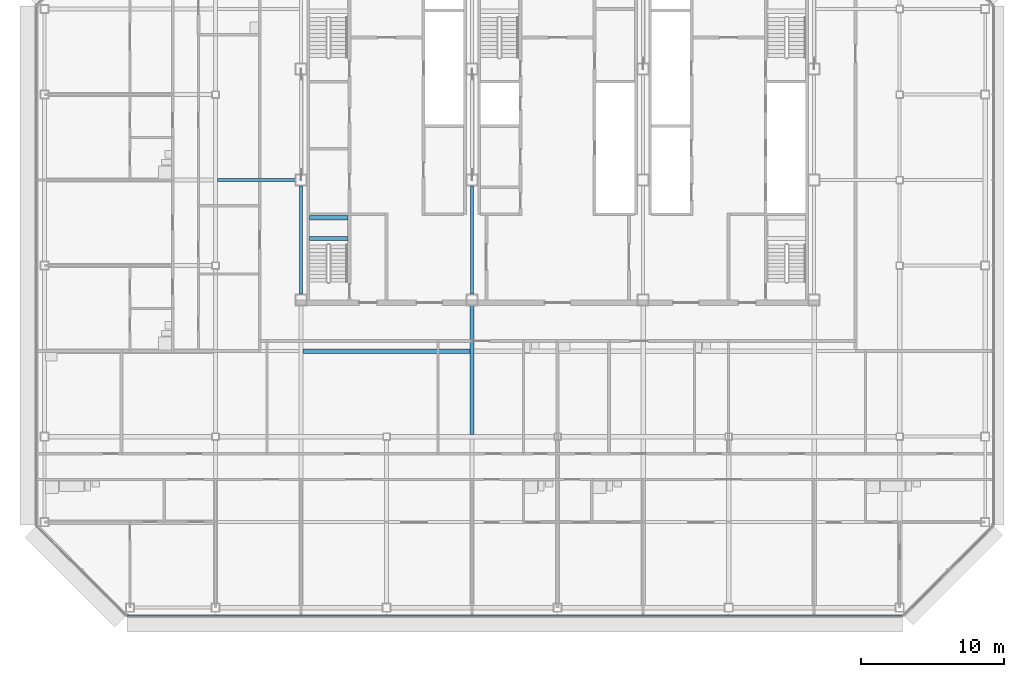
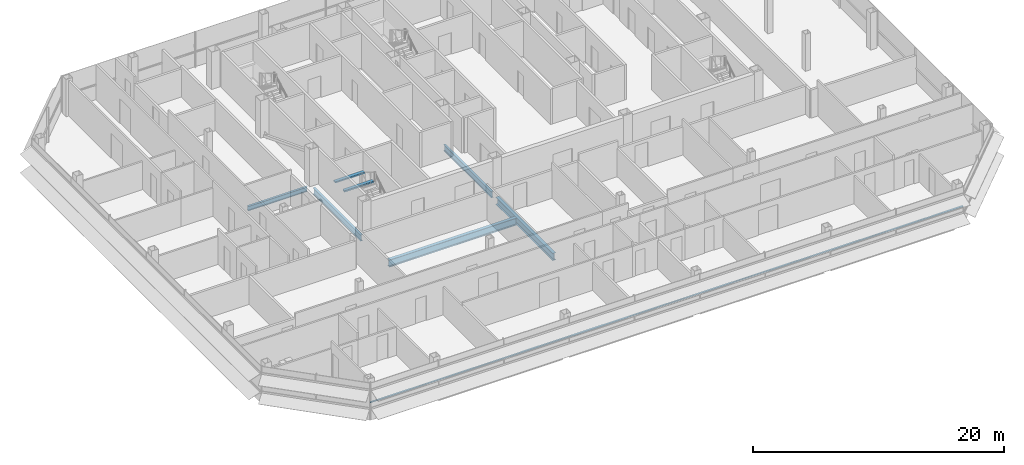
# One storey, part 8 of 28: 7 beams, 1 member, 1 element without a shape of its own.
"""IFC4 building model written with IfcOpenShell, lengths in metres."""

from ifc_helpers import new_model, si_unit, direction, frame, origin, origin_2d, place, context, subcontext, project, spatial, rectangle, i_section, extrude, material, material_profile, profile_set, type_object, element, aggregate, save


model = new_model("IFC4")

# Units and contexts
model_context = context("Model", 3, precision=1e-05, world=origin(), true_north=direction((0.0, 1.0)))
body_context = subcontext(model_context, "Body", "Model", "MODEL_VIEW")
ifc_project = project(units=[si_unit("LENGTHUNIT", "METRE"), si_unit("AREAUNIT", "SQUARE_METRE"), si_unit("VOLUMEUNIT", "CUBIC_METRE"), si_unit("PLANEANGLEUNIT", "RADIAN"), si_unit("MASSUNIT", "GRAM", prefix="KILO")], contexts=[model_context])

# Site, building, storey
site_placement = place(None, origin())
site = spatial("IfcSite", under=ifc_project, at=site_placement, CompositionType="ELEMENT")
building_placement = place(site_placement, origin())
building = spatial("IfcBuilding", under=site, at=building_placement, Name="Sorahane Residences", CompositionType="ELEMENT")
storey_placement = place(building_placement, frame((0.0, 0.0, 273.800048828125)))
storey = spatial("IfcBuildingStorey", under=building, at=storey_placement, Name="L65", CompositionType="ELEMENT", Elevation=273.800048828125)

# Curtain wall, member
ifc_material_1 = material(Name="Dark low-e glass and black anodised aluminium", Category="aluminium")
curtain_wall_type = type_object("IfcCurtainWallType", Name="Curtain wall CW-1 Typical unitised wall", PredefinedType="NOTDEFINED", material=ifc_material_1)
curtain_wall_placement = place(storey_placement, origin())
curtain_wall = element("IfcCurtainWall", 1, at=curtain_wall_placement, inside=storey, type_object=curtain_wall_type, Name="CW-1 curtain wall L65 S1", PredefinedType="NOTDEFINED")
ifc_material_2 = material(Name="Black anodised aluminium", Category="aluminium")
ifc_material_profile_1 = material_profile(ifc_material_2, rectangle(XDim=0.10009765625, YDim=0.06005859375, at=origin_2d()), Name="Curtain wall transom CW-1 black anodised aluminium 60x100")
ifc_profile_set_1 = profile_set([ifc_material_profile_1], Name="Black anodised aluminium")
member_type = type_object("IfcMemberType", Name="Curtain wall transom CW-1 black anodised aluminium 60x100", PredefinedType="USERDEFINED", material=ifc_profile_set_1)
member_placement = place(storey_placement, frame((-6.198486328125, -0.530029296875, 1.5), z_axis=(1.0, 0.0, 0.0), x_axis=(0.0, 1.0, 0.0)))
member = element("IfcMember", 2, at=member_placement, type_object=member_type, Name="CW-1 transom L65 S1", ObjectType="TRANSOM", PredefinedType="USERDEFINED", context=body_context, shape_type="SweptSolid", body=[
    extrude(rectangle(XDim=0.10009765625, YDim=0.06005859375, at=origin_2d()), origin(), (0.0, 0.0, 1.0), 54.39697265625),
])
aggregate(curtain_wall, [member])

# Beams
ifc_material_3 = material(Name="Concrete C40", Category="concrete")
ifc_material_profile_2 = material_profile(ifc_material_3, rectangle(XDim=0.300048828125, YDim=0.139892578125, at=origin_2d()), Name="300x140")
ifc_profile_set_2 = profile_set([ifc_material_profile_2], Name="Concrete C40")
beam_type_1 = type_object("IfcBeamType", Name="RC landing beam 300 x 140 Concrete C40", PredefinedType="BEAM", material=ifc_profile_set_2)
for number, where, z_axis, x_axis, name in (
    (3, (6.60009765625, 25.89990234375, 1.530029296875), (1.0, 0.0, 0.0), (0.0, 1.0, 0.0), "Landing beam"),
    (4, (6.60009765625, 27.35009765625, 1.530029296875), (1.0, 0.0, 0.0), (0.0, 1.0, 0.0), "Landing beam"),
):
    element("IfcBeam", number, at=place(storey_placement, frame(where, z_axis=z_axis, x_axis=x_axis)), inside=storey, type_object=beam_type_1, Name=name, PredefinedType="BEAM", context=body_context, shape_type="SweptSolid", body=[
        extrude(rectangle(XDim=0.300048828125, YDim=0.139892578125, at=origin_2d()), origin(), (0.0, 0.0, 1.0), 2.699951171875),
    ])
ifc_material_4 = material(Name="Steel Q355B", Category="steel")
ifc_material_profile_3 = material_profile(ifc_material_4, i_section(OverallWidth=0.199951171875, OverallDepth=0.449951171875, WebThickness=0.009033203125, FlangeThickness=0.013916015625, FilletRadius=0.02001953125, at=origin_2d()), Name="HN 450x200x9x14")
ifc_profile_set_3 = profile_set([ifc_material_profile_3], Name="Steel Q355B")
beam_type_2 = type_object("IfcBeamType", Name="Steel floor beam HN 450x200x9x14 Q355B", PredefinedType="BEAM", material=ifc_profile_set_3)
beam_1_placement = place(storey_placement, frame((0.14990234375, 30.0, -0.405029296875), z_axis=(1.0, 0.0, 0.0), x_axis=(0.0, 1.0, 0.0)))
element("IfcBeam", 5, at=beam_1_placement, inside=storey, type_object=beam_type_2, Name="Beam L65 086", PredefinedType="BEAM", context=body_context, shape_type="SweptSolid", body=[
    extrude(i_section(OverallWidth=0.199951171875, OverallDepth=0.449951171875, WebThickness=0.009033203125, FlangeThickness=0.013916015625, FilletRadius=0.02001953125, at=origin_2d()), origin(), (0.0, 0.0, 1.0), 5.4501953125),
])
ifc_material_5 = material(Name="Steel Q355B", Category="steel")
ifc_material_profile_4 = material_profile(ifc_material_5, i_section(OverallWidth=0.199951171875, OverallDepth=0.60009765625, WebThickness=0.010986328125, FlangeThickness=0.01708984375, FilletRadius=0.02392578125, at=origin_2d()), Name="HN 600x200x11x17")
ifc_profile_set_4 = profile_set([ifc_material_profile_4], Name="Steel Q355B")
beam_type_3 = type_object("IfcBeamType", Name="Steel floor beam HN 600x200x11x17 Q355B", PredefinedType="BEAM", material=ifc_profile_set_4)
for number, where, z_axis, x_axis, name in (
    (6, (6.0, 22.0, -0.47998046875), (0.0, 1.0, 0.0), (-1.0, 0.0, 0.0), "Beam L65 030"),
    (7, (18.0, 22.0, -0.47998046875), (0.0, 1.0, 0.0), (-1.0, 0.0, 0.0), "Beam L65 038"),
):
    element("IfcBeam", number, at=place(storey_placement, frame(where, z_axis=z_axis, x_axis=x_axis)), inside=storey, type_object=beam_type_3, Name=name, PredefinedType="BEAM", context=body_context, shape_type="SweptSolid", body=[
        extrude(i_section(OverallWidth=0.199951171875, OverallDepth=0.60009765625, WebThickness=0.010986328125, FlangeThickness=0.01708984375, FilletRadius=0.02392578125, at=origin_2d()), origin(), (0.0, 0.0, 1.0), 7.60009765625),
    ])
ifc_material_6 = material(Name="Steel Q355B", Category="steel")
ifc_material_profile_5 = material_profile(ifc_material_6, i_section(OverallWidth=0.300048828125, OverallDepth=0.699951171875, WebThickness=0.012939453125, FlangeThickness=0.02392578125, FilletRadius=0.028076171875, at=origin_2d()), Name="HN 700x300x13x24")
ifc_profile_set_5 = profile_set([ifc_material_profile_5], Name="Steel Q355B")
beam_type_4 = type_object("IfcBeamType", Name="Steel floor beam HN 700x300x13x24 Q355B", PredefinedType="BEAM", material=ifc_profile_set_5)
beam_2_placement = place(storey_placement, frame((18.0, 12.14990234375, -0.530029296875), z_axis=(0.0, 1.0, 0.0), x_axis=(-1.0, 0.0, 0.0)))
element("IfcBeam", 8, at=beam_2_placement, inside=storey, type_object=beam_type_4, Name="Beam L65 037", PredefinedType="BEAM", context=body_context, shape_type="SweptSolid", body=[
    extrude(i_section(OverallWidth=0.300048828125, OverallDepth=0.699951171875, WebThickness=0.012939453125, FlangeThickness=0.02392578125, FilletRadius=0.028076171875, at=origin_2d()), origin(), (0.0, 0.0, 1.0), 9.050048828125),
])
beam_3_placement = place(storey_placement, frame((6.14990234375, 18.0, -0.530029296875), z_axis=(1.0, 0.0, 0.0), x_axis=(0.0, 1.0, 0.0)))
element("IfcBeam", 9, at=beam_3_placement, inside=storey, type_object=beam_type_4, Name="Beam L65 080", PredefinedType="BEAM", context=body_context, shape_type="SweptSolid", body=[
    extrude(i_section(OverallWidth=0.300048828125, OverallDepth=0.699951171875, WebThickness=0.012939453125, FlangeThickness=0.02392578125, FilletRadius=0.028076171875, at=origin_2d()), origin(), (0.0, 0.0, 1.0), 11.7001953125),
])

save(model, "model.ifc")
